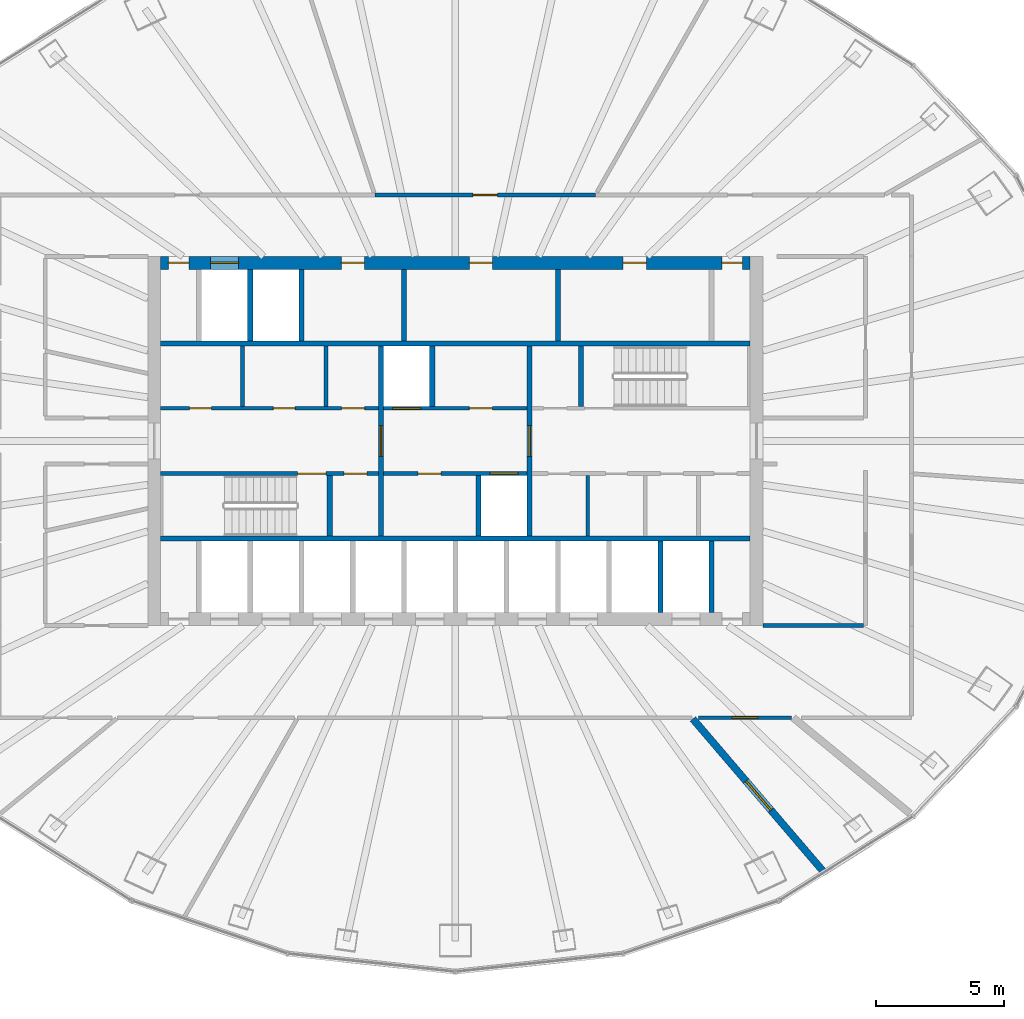
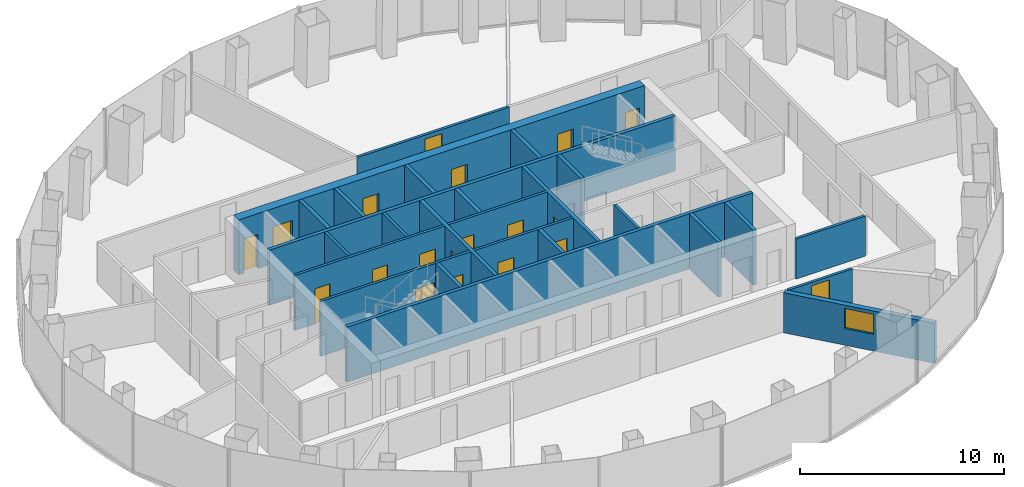
# One storey, part 9 of 11: 26 walls, 19 doors, 1 window, 20 openings.
"""IFC4 building model written with IfcOpenShell, lengths in metres."""

from ifc_helpers import new_model, si_unit, direction, frame, frame_2d, origin, place, context, subcontext, project, spatial, rectangle, extrude, material, layer, layer_set, type_object, element, fill, save


model = new_model("IFC4")

# Units and contexts
model_context = context("Model", 3, precision=1e-05, world=origin(), true_north=direction((0.0, 1.0)))
body_context = subcontext(model_context, "Body", "Model", "MODEL_VIEW")
ifc_project = project(units=[si_unit("LENGTHUNIT", "METRE"), si_unit("AREAUNIT", "SQUARE_METRE"), si_unit("VOLUMEUNIT", "CUBIC_METRE"), si_unit("PLANEANGLEUNIT", "RADIAN"), si_unit("MASSUNIT", "GRAM", prefix="KILO")], contexts=[model_context])

# Site, building, storey
site_placement = place(None, origin())
site = spatial("IfcSite", under=ifc_project, at=site_placement, CompositionType="ELEMENT")
building_placement = place(site_placement, origin())
building = spatial("IfcBuilding", under=site, at=building_placement, Name="Siaravel Broadcast Tower", CompositionType="ELEMENT")
storey_placement = place(building_placement, frame((0.0, 0.0, 126.699951171875)))
storey = spatial("IfcBuildingStorey", under=building, at=storey_placement, Name="L30", CompositionType="ELEMENT", Elevation=126.699951171875)

# Wall, opening, window
ifc_material_1 = material(Name="Double-leaf acoustic partition", Category="gypsum")
ifc_layer_1 = layer(ifc_material_1, 0.280029296875)
ifc_layer_set_1 = layer_set([ifc_layer_1], Name="Double-leaf acoustic partition")
wall_type_1 = type_object("IfcWallType", Name="Acoustic double-leaf wall 280", PredefinedType="PARTITIONING", material=ifc_layer_set_1)
wall_1_placement = place(storey_placement, frame((14.38623046875, -16.829345703125, 0.0), z_axis=(0.0, 0.0, 1.0), x_axis=(-0.649784617, 0.76011838, 0.0)))
wall_1 = element("IfcWall", 1, at=wall_1_placement, inside=storey, type_object=wall_type_1, Name="L30 partition 9", PredefinedType="PARTITIONING", context=body_context, shape_type="SweptSolid", body=[
    extrude(rectangle(XDim=7.873046875, YDim=0.280029296875, at=frame_2d((3.9365234375, 0.0))), origin(), (0.0, 0.0, 1.0), 2.400146484375),
])
opening_1_placement = place(wall_1_placement, frame((3.1865234375, 0.0, 1.0)))
opening_1 = element("IfcOpeningElement", 2, at=opening_1_placement, cuts=wall_1, Name="Opening L30-W01", PredefinedType="OPENING", context=body_context, shape_type="SweptSolid", body=[
    extrude(rectangle(XDim=1.5, YDim=1.199951171875, at=frame_2d((0.75, 0.60009765625))), frame((0.0, 0.14990234375, 0.0), z_axis=(0.0, -1.0, 0.0), x_axis=(1.0, 0.0, 0.0)), (0.0, 0.0, 1.0), 0.300048828125),
])
ifc_material_2 = material(Name="Laminated acoustic glass", Category="glass")
window_type = type_object("IfcWindowType", Name="Studio viewing window 1500", PartitioningType="SINGLE_PANEL", PredefinedType="WINDOW", material=ifc_material_2)
window_placement = place(opening_1_placement, origin())
window = element("IfcWindow", 3, at=window_placement, inside=storey, type_object=window_type, Name="L30 viewing window to Post-production room", OverallHeight=1.199951171875, OverallWidth=1.5, PartitioningType="SINGLE_PANEL", PredefinedType="WINDOW", context=body_context, shape_type="SweptSolid", body=[
    extrude(rectangle(XDim=1.5, YDim=1.199951171875, at=frame_2d((0.75, 0.60009765625))), frame((0.0, 0.030029296875, 0.0), z_axis=(0.0, -1.0, 0.0), x_axis=(1.0, 0.0, 0.0)), (0.0, 0.0, 1.0), 0.06005859375),
])
fill(opening_1, window)

# Walls
ifc_material_3 = material(Name="Concrete blockwork", Category="masonry")
ifc_layer_2 = layer(ifc_material_3, 0.14990234375)
ifc_layer_set_2 = layer_set([ifc_layer_2], Name="Concrete blockwork")
wall_type_2 = type_object("IfcWallType", Name="Core partition 150", PredefinedType="PARTITIONING", material=ifc_layer_set_2)
for number, where, z_axis, x_axis, name in (
    (4, (-8.30908203125, 1.35009765625, 0.0), (0.0, 0.0, 1.0), (0.0, 1.0, 0.0), "L30 core partition PNW0"),
    (5, (-5.04296875, 1.35009765625, 0.0), (0.0, 0.0, 1.0), (0.0, 1.0, 0.0), "L30 core partition PNW1"),
    (6, (5.16796875, -3.699951171875, 0.0), (0.0, 0.0, 1.0), (0.0, 1.0, 0.0), "L30 core partition PSE0"),
):
    element("IfcWall", number, at=place(storey_placement, frame(where, z_axis=z_axis, x_axis=x_axis)), inside=storey, type_object=wall_type_2, Name=name, PredefinedType="PARTITIONING", context=body_context, shape_type="SweptSolid", body=[
        extrude(rectangle(XDim=2.349853515625, YDim=0.14990234375, at=frame_2d((1.1748046875, 0.0))), origin(), (0.0, 0.0, 1.0), 3.300048828125),
    ])
ifc_layer_3 = layer(ifc_material_3, 0.199951171875)
ifc_layer_set_3 = layer_set([ifc_layer_3], Name="Concrete blockwork")
wall_type_3 = type_object("IfcWallType", Name="Core partition 200", PredefinedType="PARTITIONING", material=ifc_layer_set_3)
for number, where, z_axis, x_axis, name in (
    (7, (-2.0, 3.89990234375, 0.0), (0.0, 0.0, 1.0), (0.0, 1.0, 0.0), "L30 core partition PFN2"),
    (8, (4.0, 3.89990234375, 0.0), (0.0, 0.0, 1.0), (0.0, 1.0, 0.0), "L30 core partition PFN4"),
):
    element("IfcWall", number, at=place(storey_placement, frame(where, z_axis=z_axis, x_axis=x_axis)), inside=storey, type_object=wall_type_3, Name=name, PredefinedType="PARTITIONING", context=body_context, shape_type="SweptSolid", body=[
        extrude(rectangle(XDim=2.800048828125, YDim=0.199951171875, at=frame_2d((1.39990234375, 0.0))), origin(), (0.0, 0.0, 1.0), 3.300048828125),
    ])

# Wall, openings, doors
ifc_material_4 = material(Name="Concrete C60/75", Category="concrete")
ifc_layer_4 = layer(ifc_material_4, 0.5)
ifc_layer_set_4 = layer_set([ifc_layer_4], Name="Concrete C60/75")
wall_type_4 = type_object("IfcWallType", Name="Core wall 500", PredefinedType="SHEAR", material=ifc_layer_set_4)
wall_2_placement = place(storey_placement, frame((-11.5, 6.949951171875, 0.0), z_axis=(0.0, 0.0, 1.0), x_axis=(1.0, 0.0, 0.0)))
wall_2 = element("IfcWall", 9, at=wall_2_placement, inside=storey, type_object=wall_type_4, Name="L30 core wall ON", PredefinedType="SHEAR", context=body_context, shape_type="SweptSolid", body=[
    extrude(rectangle(XDim=23.0, YDim=0.5, at=frame_2d((11.5, 0.0))), origin(), (0.0, 0.0, 1.0), 3.300048828125),
])
opening_2_placement = place(wall_2_placement, frame((1.949951171875, 0.0, 0.0)))
opening_2 = element("IfcOpeningElement", 10, at=opening_2_placement, cuts=wall_2, Name="Opening LD-SV2-L30", PredefinedType="OPENING", context=body_context, shape_type="SweptSolid", body=[
    extrude(rectangle(XDim=1.10009765625, YDim=2.199951171875, at=frame_2d((0.550048828125, 1.10009765625))), frame((0.0, 0.260009765625, 0.0), z_axis=(0.0, -1.0, 0.0), x_axis=(1.0, 0.0, 0.0)), (0.0, 0.0, 1.0), 0.52001953125),
])
opening_3_placement = place(wall_2_placement, frame((7.050048828125, 0.0, 0.0)))
opening_3 = element("IfcOpeningElement", 11, at=opening_3_placement, cuts=wall_2, Name="Opening L30-DFN2", PredefinedType="OPENING", context=body_context, shape_type="SweptSolid", body=[
    extrude(rectangle(XDim=0.89990234375, YDim=2.10009765625, at=frame_2d((0.449951171875, 1.050048828125))), frame((0.0, 0.260009765625, 0.0), z_axis=(0.0, -1.0, 0.0), x_axis=(1.0, 0.0, 0.0)), (0.0, 0.0, 1.0), 0.52001953125),
])
opening_4_placement = place(wall_2_placement, frame((12.050048828125, 0.0, 0.0)))
opening_4 = element("IfcOpeningElement", 12, at=opening_4_placement, cuts=wall_2, Name="Opening L30-DFN4", PredefinedType="OPENING", context=body_context, shape_type="SweptSolid", body=[
    extrude(rectangle(XDim=0.89990234375, YDim=2.10009765625, at=frame_2d((0.449951171875, 1.050048828125))), frame((0.0, 0.260009765625, 0.0), z_axis=(0.0, -1.0, 0.0), x_axis=(1.0, 0.0, 0.0)), (0.0, 0.0, 1.0), 0.52001953125),
])
opening_5_placement = place(wall_2_placement, frame((18.050048828125, 0.0, 0.0)))
opening_5 = element("IfcOpeningElement", 13, at=opening_5_placement, cuts=wall_2, Name="Opening L30-DFN7", PredefinedType="OPENING", context=body_context, shape_type="SweptSolid", body=[
    extrude(rectangle(XDim=0.89990234375, YDim=2.10009765625, at=frame_2d((0.449951171875, 1.050048828125))), frame((0.0, 0.260009765625, 0.0), z_axis=(0.0, -1.0, 0.0), x_axis=(1.0, 0.0, 0.0)), (0.0, 0.0, 1.0), 0.52001953125),
])
opening_6_placement = place(wall_2_placement, frame((0.300048828125, 0.0, 0.0)))
opening_6 = element("IfcOpeningElement", 14, at=opening_6_placement, cuts=wall_2, Name="Opening L30-DRNW", PredefinedType="OPENING", context=body_context, shape_type="SweptSolid", body=[
    extrude(rectangle(XDim=0.800048828125, YDim=2.050048828125, at=frame_2d((0.39990234375, 1.02490234375))), frame((0.0, 0.260009765625, 0.0), z_axis=(0.0, -1.0, 0.0), x_axis=(1.0, 0.0, 0.0)), (0.0, 0.0, 1.0), 0.52001953125),
])
opening_7_placement = place(wall_2_placement, frame((21.89990234375, 0.0, 0.0)))
opening_7 = element("IfcOpeningElement", 15, at=opening_7_placement, cuts=wall_2, Name="Opening L30-DRNE", PredefinedType="OPENING", context=body_context, shape_type="SweptSolid", body=[
    extrude(rectangle(XDim=0.800048828125, YDim=2.050048828125, at=frame_2d((0.39990234375, 1.02490234375))), frame((0.0, 0.260009765625, 0.0), z_axis=(0.0, -1.0, 0.0), x_axis=(1.0, 0.0, 0.0)), (0.0, 0.0, 1.0), 0.52001953125),
])
ifc_material_5 = material(Name="Timber veneer", Category="wood")
door_type_1 = type_object("IfcDoorType", Name="Core room door 900", OperationType="SINGLE_SWING_LEFT", PredefinedType="DOOR", material=ifc_material_5)
door_1_placement = place(opening_3_placement, origin())
door_1 = element("IfcDoor", 16, at=door_1_placement, inside=storey, type_object=door_type_1, Name="L30 door DFN2", OperationType="SINGLE_SWING_LEFT", OverallHeight=2.10009765625, OverallWidth=0.89990234375, PredefinedType="DOOR", context=body_context, shape_type="SweptSolid", body=[
    extrude(rectangle(XDim=0.89990234375, YDim=2.10009765625, at=frame_2d((0.449951171875, 1.050048828125))), frame((0.0, 0.02490234375, 0.0), z_axis=(0.0, -1.0, 0.0), x_axis=(1.0, 0.0, 0.0)), (0.0, 0.0, 1.0), 0.050048828125),
])
fill(opening_3, door_1)
door_2_placement = place(opening_4_placement, origin())
door_2 = element("IfcDoor", 17, at=door_2_placement, inside=storey, type_object=door_type_1, Name="L30 door DFN4", OperationType="SINGLE_SWING_LEFT", OverallHeight=2.10009765625, OverallWidth=0.89990234375, PredefinedType="DOOR", context=body_context, shape_type="SweptSolid", body=[
    extrude(rectangle(XDim=0.89990234375, YDim=2.10009765625, at=frame_2d((0.449951171875, 1.050048828125))), frame((0.0, 0.02490234375, 0.0), z_axis=(0.0, -1.0, 0.0), x_axis=(1.0, 0.0, 0.0)), (0.0, 0.0, 1.0), 0.050048828125),
])
fill(opening_4, door_2)
door_3_placement = place(opening_5_placement, origin())
door_3 = element("IfcDoor", 18, at=door_3_placement, inside=storey, type_object=door_type_1, Name="L30 door DFN7", OperationType="SINGLE_SWING_LEFT", OverallHeight=2.10009765625, OverallWidth=0.89990234375, PredefinedType="DOOR", context=body_context, shape_type="SweptSolid", body=[
    extrude(rectangle(XDim=0.89990234375, YDim=2.10009765625, at=frame_2d((0.449951171875, 1.050048828125))), frame((0.0, 0.02490234375, 0.0), z_axis=(0.0, -1.0, 0.0), x_axis=(1.0, 0.0, 0.0)), (0.0, 0.0, 1.0), 0.050048828125),
])
fill(opening_5, door_3)
ifc_material_6 = material(Name="Steel", Category="steel")
door_type_2 = type_object("IfcDoorType", Name="Riser door 800", OperationType="SINGLE_SWING_LEFT", PredefinedType="DOOR", material=ifc_material_6)
door_4_placement = place(opening_6_placement, origin())
door_4 = element("IfcDoor", 19, at=door_4_placement, inside=storey, type_object=door_type_2, Name="L30 door DRNW", OperationType="SINGLE_SWING_LEFT", OverallHeight=2.050048828125, OverallWidth=0.800048828125, PredefinedType="DOOR", context=body_context, shape_type="SweptSolid", body=[
    extrude(rectangle(XDim=0.800048828125, YDim=2.050048828125, at=frame_2d((0.39990234375, 1.02490234375))), frame((0.0, 0.02490234375, 0.0), z_axis=(0.0, -1.0, 0.0), x_axis=(1.0, 0.0, 0.0)), (0.0, 0.0, 1.0), 0.050048828125),
])
fill(opening_6, door_4)
door_5_placement = place(opening_7_placement, origin())
door_5 = element("IfcDoor", 20, at=door_5_placement, inside=storey, type_object=door_type_2, Name="L30 door DRNE", OperationType="SINGLE_SWING_LEFT", OverallHeight=2.050048828125, OverallWidth=0.800048828125, PredefinedType="DOOR", context=body_context, shape_type="SweptSolid", body=[
    extrude(rectangle(XDim=0.800048828125, YDim=2.050048828125, at=frame_2d((0.39990234375, 1.02490234375))), frame((0.0, 0.02490234375, 0.0), z_axis=(0.0, -1.0, 0.0), x_axis=(1.0, 0.0, 0.0)), (0.0, 0.0, 1.0), 0.050048828125),
])
fill(opening_7, door_5)
ifc_material_7 = material(Name="Stainless steel 316L", Category="steel")
door_type_3 = type_object("IfcDoorType", Name="Service lift landing door 1100", OperationType="DOUBLE_DOOR_SLIDING", PredefinedType="DOOR", material=ifc_material_7)
door_6_placement = place(opening_2_placement, origin())
door_6 = element("IfcDoor", 21, at=door_6_placement, inside=storey, type_object=door_type_3, Name="Landing door SV2 L30", OperationType="DOUBLE_DOOR_SLIDING", OverallHeight=2.199951171875, OverallWidth=1.10009765625, PredefinedType="DOOR", context=body_context, shape_type="SweptSolid", body=[
    extrude(rectangle(XDim=1.10009765625, YDim=2.199951171875, at=frame_2d((0.550048828125, 1.10009765625))), frame((0.0, 0.02490234375, 0.0), z_axis=(0.0, -1.0, 0.0), x_axis=(1.0, 0.0, 0.0)), (0.0, 0.0, 1.0), 0.050048828125),
])
fill(opening_2, door_6)

ifc_material_8 = material(Name="Gypsum board partition", Category="gypsum")
ifc_layer_5 = layer(ifc_material_8, 0.14990234375)
ifc_layer_set_5 = layer_set([ifc_layer_5], Name="Gypsum board partition")
wall_type_5 = type_object("IfcWallType", Name="Corridor wall 150", PredefinedType="PARTITIONING", material=ifc_layer_set_5)
wall_3_placement = place(storey_placement, frame((-11.5, 1.27490234375, 0.0), z_axis=(0.0, 0.0, 1.0), x_axis=(1.0, 0.0, 0.0)))
wall_3 = element("IfcWall", 22, at=wall_3_placement, inside=storey, type_object=wall_type_5, Name="L30 core partition CNW", PredefinedType="PARTITIONING", context=body_context, shape_type="SweptSolid", body=[
    extrude(rectangle(XDim=8.5, YDim=0.14990234375, at=frame_2d((4.25, 0.0))), origin(), (0.0, 0.0, 1.0), 3.300048828125),
])
opening_8_placement = place(wall_3_placement, frame((1.133056640625, 0.0, 0.0)))
opening_8 = element("IfcOpeningElement", 23, at=opening_8_placement, cuts=wall_3, Name="Opening L30-DNW0", PredefinedType="OPENING", context=body_context, shape_type="SweptSolid", body=[
    extrude(rectangle(XDim=0.85009765625, YDim=2.10009765625, at=frame_2d((0.425048828125, 1.050048828125))), frame((0.0, 0.0849609375, 0.0), z_axis=(0.0, -1.0, 0.0), x_axis=(1.0, 0.0, 0.0)), (0.0, 0.0, 1.0), 0.169921875),
])
opening_9_placement = place(wall_3_placement, frame((4.39892578125, 0.0, 0.0)))
opening_9 = element("IfcOpeningElement", 24, at=opening_9_placement, cuts=wall_3, Name="Opening L30-DNW1", PredefinedType="OPENING", context=body_context, shape_type="SweptSolid", body=[
    extrude(rectangle(XDim=0.85009765625, YDim=2.10009765625, at=frame_2d((0.425048828125, 1.050048828125))), frame((0.0, 0.0849609375, 0.0), z_axis=(0.0, -1.0, 0.0), x_axis=(1.0, 0.0, 0.0)), (0.0, 0.0, 1.0), 0.169921875),
])
opening_10_placement = place(wall_3_placement, frame((7.06591796875, 0.0, 0.0)))
opening_10 = element("IfcOpeningElement", 25, at=opening_10_placement, cuts=wall_3, Name="Opening L30-DNW2", PredefinedType="OPENING", context=body_context, shape_type="SweptSolid", body=[
    extrude(rectangle(XDim=0.89990234375, YDim=2.10009765625, at=frame_2d((0.449951171875, 1.050048828125))), frame((0.0, 0.0849609375, 0.0), z_axis=(0.0, -1.0, 0.0), x_axis=(1.0, 0.0, 0.0)), (0.0, 0.0, 1.0), 0.169921875),
])
door_7_placement = place(opening_10_placement, origin())
door_7 = element("IfcDoor", 26, at=door_7_placement, inside=storey, type_object=door_type_1, Name="L30 door DNW2", OperationType="SINGLE_SWING_LEFT", OverallHeight=2.10009765625, OverallWidth=0.89990234375, PredefinedType="DOOR", context=body_context, shape_type="SweptSolid", body=[
    extrude(rectangle(XDim=0.89990234375, YDim=2.10009765625, at=frame_2d((0.449951171875, 1.050048828125))), frame((0.0, 0.02490234375, 0.0), z_axis=(0.0, -1.0, 0.0), x_axis=(1.0, 0.0, 0.0)), (0.0, 0.0, 1.0), 0.050048828125),
])
fill(opening_10, door_7)
door_type_4 = type_object("IfcDoorType", Name="Core toilet door 850", OperationType="SINGLE_SWING_LEFT", PredefinedType="DOOR", material=ifc_material_5)
door_8_placement = place(opening_8_placement, origin())
door_8 = element("IfcDoor", 27, at=door_8_placement, inside=storey, type_object=door_type_4, Name="L30 door DNW0", OperationType="SINGLE_SWING_LEFT", OverallHeight=2.10009765625, OverallWidth=0.85009765625, PredefinedType="DOOR", context=body_context, shape_type="SweptSolid", body=[
    extrude(rectangle(XDim=0.85009765625, YDim=2.10009765625, at=frame_2d((0.425048828125, 1.050048828125))), frame((0.0, 0.02490234375, 0.0), z_axis=(0.0, -1.0, 0.0), x_axis=(1.0, 0.0, 0.0)), (0.0, 0.0, 1.0), 0.050048828125),
])
fill(opening_8, door_8)
door_9_placement = place(opening_9_placement, origin())
door_9 = element("IfcDoor", 28, at=door_9_placement, inside=storey, type_object=door_type_4, Name="L30 door DNW1", OperationType="SINGLE_SWING_LEFT", OverallHeight=2.10009765625, OverallWidth=0.85009765625, PredefinedType="DOOR", context=body_context, shape_type="SweptSolid", body=[
    extrude(rectangle(XDim=0.85009765625, YDim=2.10009765625, at=frame_2d((0.425048828125, 1.050048828125))), frame((0.0, 0.02490234375, 0.0), z_axis=(0.0, -1.0, 0.0), x_axis=(1.0, 0.0, 0.0)), (0.0, 0.0, 1.0), 0.050048828125),
])
fill(opening_9, door_9)

# Wall, opening, door
wall_4_placement = place(storey_placement, frame((5.464111328125, 9.60009765625, 0.0), z_axis=(0.0, 0.0, 1.0), x_axis=(-1.0, 0.0, 0.0)))
wall_4 = element("IfcWall", 29, at=wall_4_placement, inside=storey, type_object=wall_type_5, Name="L30 partition 7", PredefinedType="PARTITIONING", context=body_context, shape_type="SweptSolid", body=[
    extrude(rectangle(XDim=8.603515625, YDim=0.14990234375, at=frame_2d((4.3017578125, 0.0))), origin(), (0.0, 0.0, 1.0), 2.400146484375),
])
opening_11_placement = place(wall_4_placement, frame((3.826904296875, 0.0, 0.0)))
opening_11 = element("IfcOpeningElement", 30, at=opening_11_placement, cuts=wall_4, Name="Opening L30-006", PredefinedType="OPENING", context=body_context, shape_type="SweptSolid", body=[
    extrude(rectangle(XDim=0.949951171875, YDim=2.14990234375, at=frame_2d((0.47509765625, 1.074951171875))), frame((0.0, 0.0849609375, 0.0), z_axis=(0.0, -1.0, 0.0), x_axis=(1.0, 0.0, 0.0)), (0.0, 0.0, 1.0), 0.169921875),
])
door_type_5 = type_object("IfcDoorType", Name="Office door 950", OperationType="SINGLE_SWING_LEFT", PredefinedType="DOOR", material=ifc_material_5)
door_10_placement = place(opening_11_placement, origin())
door_10 = element("IfcDoor", 31, at=door_10_placement, inside=storey, type_object=door_type_5, Name="L30 door to Design studio", OperationType="SINGLE_SWING_RIGHT", OverallHeight=2.14990234375, OverallWidth=0.949951171875, PredefinedType="DOOR", context=body_context, shape_type="SweptSolid", body=[
    extrude(rectangle(XDim=0.949951171875, YDim=2.14990234375, at=frame_2d((0.47509765625, 1.074951171875))), frame((0.0, 0.02490234375, 0.0), z_axis=(0.0, -1.0, 0.0), x_axis=(1.0, 0.0, 0.0)), (0.0, 0.0, 1.0), 0.050048828125),
])
fill(opening_11, door_10)

# Wall
wall_5_placement = place(storey_placement, frame((15.923095703125, -7.199951171875, 0.0), z_axis=(0.0, 0.0, 1.0), x_axis=(-1.0, 0.0, 0.0)))
element("IfcWall", 32, at=wall_5_placement, inside=storey, type_object=wall_type_5, Name="L30 partition 29", PredefinedType="PARTITIONING", context=body_context, shape_type="SweptSolid", body=[
    extrude(rectangle(XDim=3.923095703125, YDim=0.14990234375, at=frame_2d((1.96142578125, 0.0))), origin(), (0.0, 0.0, 1.0), 2.400146484375),
])

# Wall, opening, door
wall_6_placement = place(storey_placement, frame((9.482421875, -10.800048828125, 0.0), z_axis=(0.0, 0.0, 1.0), x_axis=(1.0, 0.0, 0.0)))
wall_6 = element("IfcWall", 33, at=wall_6_placement, inside=storey, type_object=wall_type_5, Name="L30 partition 31", PredefinedType="PARTITIONING", context=body_context, shape_type="SweptSolid", body=[
    extrude(rectangle(XDim=3.63916015625, YDim=0.14990234375, at=frame_2d((1.819580078125, 0.0))), origin(), (0.0, 0.0, 1.0), 2.400146484375),
])
opening_12_placement = place(wall_6_placement, frame((1.319580078125, 0.0, 0.0)))
opening_12 = element("IfcOpeningElement", 34, at=opening_12_placement, cuts=wall_6, Name="Opening L30-017", PredefinedType="OPENING", context=body_context, shape_type="SweptSolid", body=[
    extrude(rectangle(XDim=1.0, YDim=2.199951171875, at=frame_2d((0.5, 1.10009765625))), frame((0.0, 0.0849609375, 0.0), z_axis=(0.0, -1.0, 0.0), x_axis=(1.0, 0.0, 0.0)), (0.0, 0.0, 1.0), 0.169921875),
])
ifc_material_9 = material(Name="Acoustic timber and steel", Category="steel")
door_type_6 = type_object("IfcDoorType", Name="Acoustic door 1000", OperationType="SINGLE_SWING_LEFT", PredefinedType="DOOR", material=ifc_material_9)
door_11_placement = place(opening_12_placement, origin())
door_11 = element("IfcDoor", 35, at=door_11_placement, inside=storey, type_object=door_type_6, Name="L30 door to Post-production room", OperationType="SINGLE_SWING_LEFT", OverallHeight=2.199951171875, OverallWidth=1.0, PredefinedType="DOOR", context=body_context, shape_type="SweptSolid", body=[
    extrude(rectangle(XDim=1.0, YDim=2.199951171875, at=frame_2d((0.5, 1.10009765625))), frame((0.0, 0.02490234375, 0.0), z_axis=(0.0, -1.0, 0.0), x_axis=(1.0, 0.0, 0.0)), (0.0, 0.0, 1.0), 0.050048828125),
])
fill(opening_12, door_11)

# Wall, openings, doors
ifc_layer_6 = layer(ifc_material_4, 0.14990234375)
ifc_layer_set_6 = layer_set([ifc_layer_6], Name="Concrete C60/75")
wall_type_6 = type_object("IfcWallType", Name="Shaft wall 150", PredefinedType="SHEAR", material=ifc_layer_set_6)
wall_7_placement = place(storey_placement, frame((-11.5, -1.27490234375, 0.0), z_axis=(0.0, 0.0, 1.0), x_axis=(1.0, 0.0, 0.0)))
wall_7 = element("IfcWall", 36, at=wall_7_placement, inside=storey, type_object=wall_type_6, Name="L30 core wall CSW", PredefinedType="SHEAR", context=body_context, shape_type="SweptSolid", body=[
    extrude(rectangle(XDim=8.5, YDim=0.14990234375, at=frame_2d((4.25, 0.0))), origin(), (0.0, 0.0, 1.0), 3.300048828125),
])
opening_13_placement = place(wall_7_placement, frame((5.35009765625, 0.0, 0.0)))
opening_13 = element("IfcOpeningElement", 37, at=opening_13_placement, cuts=wall_7, Name="Opening L30-DS-1", PredefinedType="OPENING", context=body_context, shape_type="SweptSolid", body=[
    extrude(rectangle(XDim=1.10009765625, YDim=2.14990234375, at=frame_2d((0.550048828125, 1.074951171875))), frame((0.0, 0.0849609375, 0.0), z_axis=(0.0, -1.0, 0.0), x_axis=(1.0, 0.0, 0.0)), (0.0, 0.0, 1.0), 0.169921875),
])
opening_14_placement = place(wall_7_placement, frame((7.14990234375, 0.0, 0.0)))
opening_14 = element("IfcOpeningElement", 38, at=opening_14_placement, cuts=wall_7, Name="Opening L30-DSW0", PredefinedType="OPENING", context=body_context, shape_type="SweptSolid", body=[
    extrude(rectangle(XDim=0.89990234375, YDim=2.10009765625, at=frame_2d((0.449951171875, 1.050048828125))), frame((0.0, 0.0849609375, 0.0), z_axis=(0.0, -1.0, 0.0), x_axis=(1.0, 0.0, 0.0)), (0.0, 0.0, 1.0), 0.169921875),
])
door_12_placement = place(opening_14_placement, origin())
door_12 = element("IfcDoor", 39, at=door_12_placement, inside=storey, type_object=door_type_1, Name="L30 door DSW0", OperationType="SINGLE_SWING_LEFT", OverallHeight=2.10009765625, OverallWidth=0.89990234375, PredefinedType="DOOR", context=body_context, shape_type="SweptSolid", body=[
    extrude(rectangle(XDim=0.89990234375, YDim=2.10009765625, at=frame_2d((0.449951171875, 1.050048828125))), frame((0.0, 0.02490234375, 0.0), z_axis=(0.0, -1.0, 0.0), x_axis=(1.0, 0.0, 0.0)), (0.0, 0.0, 1.0), 0.050048828125),
])
fill(opening_14, door_12)
door_type_7 = type_object("IfcDoorType", Name="Stair door 1100", OperationType="SINGLE_SWING_LEFT", PredefinedType="DOOR", material=ifc_material_6)
door_13_placement = place(opening_13_placement, origin())
door_13 = element("IfcDoor", 40, at=door_13_placement, inside=storey, type_object=door_type_7, Name="L30 door DS-1", OperationType="SINGLE_SWING_LEFT", OverallHeight=2.14990234375, OverallWidth=1.10009765625, PredefinedType="DOOR", context=body_context, shape_type="SweptSolid", body=[
    extrude(rectangle(XDim=1.10009765625, YDim=2.14990234375, at=frame_2d((0.550048828125, 1.074951171875))), frame((0.0, 0.02490234375, 0.0), z_axis=(0.0, -1.0, 0.0), x_axis=(1.0, 0.0, 0.0)), (0.0, 0.0, 1.0), 0.050048828125),
])
fill(opening_13, door_13)

wall_8_placement = place(storey_placement, frame((-2.800048828125, -1.27490234375, 0.0), z_axis=(0.0, 0.0, 1.0), x_axis=(1.0, 0.0, 0.0)))
wall_8 = element("IfcWall", 41, at=wall_8_placement, inside=storey, type_object=wall_type_6, Name="L30 core wall CSM", PredefinedType="SHEAR", context=body_context, shape_type="SweptSolid", body=[
    extrude(rectangle(XDim=5.60009765625, YDim=0.14990234375, at=frame_2d((2.800048828125, 0.0))), origin(), (0.0, 0.0, 1.0), 3.300048828125),
])
opening_15_placement = place(wall_8_placement, frame((4.14990234375, 0.0, 0.0)))
opening_15 = element("IfcOpeningElement", 42, at=opening_15_placement, cuts=wall_8, Name="Opening LD-FL2-L30", PredefinedType="OPENING", context=body_context, shape_type="SweptSolid", body=[
    extrude(rectangle(XDim=1.10009765625, YDim=2.199951171875, at=frame_2d((0.550048828125, 1.10009765625))), frame((0.0, 0.0849609375, 0.0), z_axis=(0.0, -1.0, 0.0), x_axis=(1.0, 0.0, 0.0)), (0.0, 0.0, 1.0), 0.169921875),
])
opening_16_placement = place(wall_8_placement, frame((1.35009765625, 0.0, 0.0)))
opening_16 = element("IfcOpeningElement", 43, at=opening_16_placement, cuts=wall_8, Name="Opening L30-DSM0", PredefinedType="OPENING", context=body_context, shape_type="SweptSolid", body=[
    extrude(rectangle(XDim=0.89990234375, YDim=2.10009765625, at=frame_2d((0.449951171875, 1.050048828125))), frame((0.0, 0.0849609375, 0.0), z_axis=(0.0, -1.0, 0.0), x_axis=(1.0, 0.0, 0.0)), (0.0, 0.0, 1.0), 0.169921875),
])
door_14_placement = place(opening_16_placement, origin())
door_14 = element("IfcDoor", 44, at=door_14_placement, inside=storey, type_object=door_type_1, Name="L30 door DSM0", OperationType="SINGLE_SWING_LEFT", OverallHeight=2.10009765625, OverallWidth=0.89990234375, PredefinedType="DOOR", context=body_context, shape_type="SweptSolid", body=[
    extrude(rectangle(XDim=0.89990234375, YDim=2.10009765625, at=frame_2d((0.449951171875, 1.050048828125))), frame((0.0, 0.02490234375, 0.0), z_axis=(0.0, -1.0, 0.0), x_axis=(1.0, 0.0, 0.0)), (0.0, 0.0, 1.0), 0.050048828125),
])
fill(opening_16, door_14)
door_type_8 = type_object("IfcDoorType", Name="Firefighting lift landing door 1100", OperationType="DOUBLE_DOOR_SLIDING", PredefinedType="DOOR", material=ifc_material_7)
door_15_placement = place(opening_15_placement, origin())
door_15 = element("IfcDoor", 45, at=door_15_placement, inside=storey, type_object=door_type_8, Name="Landing door FL2 L30", OperationType="DOUBLE_DOOR_SLIDING", OverallHeight=2.199951171875, OverallWidth=1.10009765625, PredefinedType="DOOR", context=body_context, shape_type="SweptSolid", body=[
    extrude(rectangle(XDim=1.10009765625, YDim=2.199951171875, at=frame_2d((0.550048828125, 1.10009765625))), frame((0.0, 0.02490234375, 0.0), z_axis=(0.0, -1.0, 0.0), x_axis=(1.0, 0.0, 0.0)), (0.0, 0.0, 1.0), 0.050048828125),
])
fill(opening_15, door_15)

wall_9_placement = place(storey_placement, frame((-2.800048828125, 1.27490234375, 0.0), z_axis=(0.0, 0.0, 1.0), x_axis=(1.0, 0.0, 0.0)))
wall_9 = element("IfcWall", 46, at=wall_9_placement, inside=storey, type_object=wall_type_6, Name="L30 core wall CNM", PredefinedType="SHEAR", context=body_context, shape_type="SweptSolid", body=[
    extrude(rectangle(XDim=5.60009765625, YDim=0.14990234375, at=frame_2d((2.800048828125, 0.0))), origin(), (0.0, 0.0, 1.0), 3.300048828125),
])
opening_17_placement = place(wall_9_placement, frame((0.35009765625, 0.0, 0.0)))
opening_17 = element("IfcOpeningElement", 47, at=opening_17_placement, cuts=wall_9, Name="Opening LD-FL1-L30", PredefinedType="OPENING", context=body_context, shape_type="SweptSolid", body=[
    extrude(rectangle(XDim=1.10009765625, YDim=2.199951171875, at=frame_2d((0.550048828125, 1.10009765625))), frame((0.0, 0.0849609375, 0.0), z_axis=(0.0, -1.0, 0.0), x_axis=(1.0, 0.0, 0.0)), (0.0, 0.0, 1.0), 0.169921875),
])
opening_18_placement = place(wall_9_placement, frame((3.35009765625, 0.0, 0.0)))
opening_18 = element("IfcOpeningElement", 48, at=opening_18_placement, cuts=wall_9, Name="Opening L30-DNM0", PredefinedType="OPENING", context=body_context, shape_type="SweptSolid", body=[
    extrude(rectangle(XDim=0.89990234375, YDim=2.10009765625, at=frame_2d((0.449951171875, 1.050048828125))), frame((0.0, 0.0849609375, 0.0), z_axis=(0.0, -1.0, 0.0), x_axis=(1.0, 0.0, 0.0)), (0.0, 0.0, 1.0), 0.169921875),
])
door_16_placement = place(opening_18_placement, origin())
door_16 = element("IfcDoor", 49, at=door_16_placement, inside=storey, type_object=door_type_1, Name="L30 door DNM0", OperationType="SINGLE_SWING_LEFT", OverallHeight=2.10009765625, OverallWidth=0.89990234375, PredefinedType="DOOR", context=body_context, shape_type="SweptSolid", body=[
    extrude(rectangle(XDim=0.89990234375, YDim=2.10009765625, at=frame_2d((0.449951171875, 1.050048828125))), frame((0.0, 0.02490234375, 0.0), z_axis=(0.0, -1.0, 0.0), x_axis=(1.0, 0.0, 0.0)), (0.0, 0.0, 1.0), 0.050048828125),
])
fill(opening_18, door_16)
door_17_placement = place(opening_17_placement, origin())
door_17 = element("IfcDoor", 50, at=door_17_placement, inside=storey, type_object=door_type_8, Name="Landing door FL1 L30", OperationType="DOUBLE_DOOR_SLIDING", OverallHeight=2.199951171875, OverallWidth=1.10009765625, PredefinedType="DOOR", context=body_context, shape_type="SweptSolid", body=[
    extrude(rectangle(XDim=1.10009765625, YDim=2.199951171875, at=frame_2d((0.550048828125, 1.10009765625))), frame((0.0, 0.02490234375, 0.0), z_axis=(0.0, -1.0, 0.0), x_axis=(1.0, 0.0, 0.0)), (0.0, 0.0, 1.0), 0.050048828125),
])
fill(opening_17, door_17)

# Walls
ifc_layer_7 = layer(ifc_material_4, 0.199951171875)
ifc_layer_set_7 = layer_set([ifc_layer_7], Name="Concrete C60/75")
wall_type_7 = type_object("IfcWallType", Name="Shaft wall 200", PredefinedType="SHEAR", material=ifc_layer_set_7)
for number, where, z_axis, x_axis, name in (
    (51, (-11.5, -3.800048828125, 0.0), (0.0, 0.0, 1.0), (1.0, 0.0, 0.0), "L30 core wall BS"),
    (52, (-11.5, 3.800048828125, 0.0), (0.0, 0.0, 1.0), (1.0, 0.0, 0.0), "L30 core wall BN"),
):
    element("IfcWall", number, at=place(storey_placement, frame(where, z_axis=z_axis, x_axis=x_axis)), inside=storey, type_object=wall_type_7, Name=name, PredefinedType="SHEAR", context=body_context, shape_type="SweptSolid", body=[
        extrude(rectangle(XDim=23.0, YDim=0.199951171875, at=frame_2d((11.5, 0.0))), origin(), (0.0, 0.0, 1.0), 3.300048828125),
    ])
for number, where, z_axis, x_axis, name in (
    (53, (8.0, -6.699951171875, 0.0), (0.0, 0.0, 1.0), (0.0, 1.0, 0.0), "L30 core wall SWS9"),
    (54, (10.0, -6.699951171875, 0.0), (0.0, 0.0, 1.0), (0.0, 1.0, 0.0), "L30 core wall SWS10"),
    (55, (-8.0, 3.89990234375, 0.0), (0.0, 0.0, 1.0), (0.0, 1.0, 0.0), "L30 core wall SWN1"),
    (56, (-6.0, 3.89990234375, 0.0), (0.0, 0.0, 1.0), (0.0, 1.0, 0.0), "L30 core wall SWN2"),
):
    element("IfcWall", number, at=place(storey_placement, frame(where, z_axis=z_axis, x_axis=x_axis)), inside=storey, type_object=wall_type_7, Name=name, PredefinedType="SHEAR", context=body_context, shape_type="SweptSolid", body=[
        extrude(rectangle(XDim=2.800048828125, YDim=0.199951171875, at=frame_2d((1.39990234375, 0.0))), origin(), (0.0, 0.0, 1.0), 3.300048828125),
    ])

# Wall, opening, door
wall_10_placement = place(storey_placement, frame((-2.89990234375, -3.699951171875, 0.0), z_axis=(0.0, 0.0, 1.0), x_axis=(0.0, 1.0, 0.0)))
wall_10 = element("IfcWall", 57, at=wall_10_placement, inside=storey, type_object=wall_type_7, Name="L30 core wall LW", PredefinedType="SHEAR", context=body_context, shape_type="SweptSolid", body=[
    extrude(rectangle(XDim=7.39990234375, YDim=0.199951171875, at=frame_2d((3.699951171875, 0.0))), origin(), (0.0, 0.0, 1.0), 3.300048828125),
])
opening_19_placement = place(wall_10_placement, frame((3.10009765625, 0.0, 0.0)))
opening_19 = element("IfcOpeningElement", 58, at=opening_19_placement, cuts=wall_10, Name="Opening L30-DL-W", PredefinedType="OPENING", context=body_context, shape_type="SweptSolid", body=[
    extrude(rectangle(XDim=1.199951171875, YDim=2.199951171875, at=frame_2d((0.60009765625, 1.10009765625))), frame((0.0, 0.10986328125, 0.0), z_axis=(0.0, -1.0, 0.0), x_axis=(1.0, 0.0, 0.0)), (0.0, 0.0, 1.0), 0.219970703125),
])
door_type_9 = type_object("IfcDoorType", Name="Firefighting lobby door 1200", OperationType="SINGLE_SWING_LEFT", PredefinedType="DOOR", material=ifc_material_6)
door_18_placement = place(opening_19_placement, origin())
door_18 = element("IfcDoor", 59, at=door_18_placement, inside=storey, type_object=door_type_9, Name="L30 door DL-W", OperationType="SINGLE_SWING_LEFT", OverallHeight=2.199951171875, OverallWidth=1.199951171875, PredefinedType="DOOR", context=body_context, shape_type="SweptSolid", body=[
    extrude(rectangle(XDim=1.199951171875, YDim=2.199951171875, at=frame_2d((0.60009765625, 1.10009765625))), frame((0.0, 0.02490234375, 0.0), z_axis=(0.0, -1.0, 0.0), x_axis=(1.0, 0.0, 0.0)), (0.0, 0.0, 1.0), 0.050048828125),
])
fill(opening_19, door_18)

wall_11_placement = place(storey_placement, frame((2.89990234375, -3.699951171875, 0.0), z_axis=(0.0, 0.0, 1.0), x_axis=(0.0, 1.0, 0.0)))
wall_11 = element("IfcWall", 60, at=wall_11_placement, inside=storey, type_object=wall_type_7, Name="L30 core wall LE", PredefinedType="SHEAR", context=body_context, shape_type="SweptSolid", body=[
    extrude(rectangle(XDim=7.39990234375, YDim=0.199951171875, at=frame_2d((3.699951171875, 0.0))), origin(), (0.0, 0.0, 1.0), 3.300048828125),
])
opening_20_placement = place(wall_11_placement, frame((3.10009765625, 0.0, 0.0)))
opening_20 = element("IfcOpeningElement", 61, at=opening_20_placement, cuts=wall_11, Name="Opening L30-DL-E", PredefinedType="OPENING", context=body_context, shape_type="SweptSolid", body=[
    extrude(rectangle(XDim=1.199951171875, YDim=2.199951171875, at=frame_2d((0.60009765625, 1.10009765625))), frame((0.0, 0.10986328125, 0.0), z_axis=(0.0, -1.0, 0.0), x_axis=(1.0, 0.0, 0.0)), (0.0, 0.0, 1.0), 0.219970703125),
])
door_19_placement = place(opening_20_placement, origin())
door_19 = element("IfcDoor", 62, at=door_19_placement, inside=storey, type_object=door_type_9, Name="L30 door DL-E", OperationType="SINGLE_SWING_LEFT", OverallHeight=2.199951171875, OverallWidth=1.199951171875, PredefinedType="DOOR", context=body_context, shape_type="SweptSolid", body=[
    extrude(rectangle(XDim=1.199951171875, YDim=2.199951171875, at=frame_2d((0.60009765625, 1.10009765625))), frame((0.0, 0.02490234375, 0.0), z_axis=(0.0, -1.0, 0.0), x_axis=(1.0, 0.0, 0.0)), (0.0, 0.0, 1.0), 0.050048828125),
])
fill(opening_20, door_19)

# Walls
for number, where, z_axis, x_axis, name in (
    (63, (-0.89990234375, 1.35009765625, 0.0), (0.0, 0.0, 1.0), (0.0, 1.0, 0.0), "L30 core wall FF1E"),
    (64, (0.89990234375, -3.699951171875, 0.0), (0.0, 0.0, 1.0), (0.0, 1.0, 0.0), "L30 core wall FF2W"),
    (65, (-4.89990234375, -3.699951171875, 0.0), (0.0, 0.0, 1.0), (0.0, 1.0, 0.0), "L30 core wall ST1E"),
    (66, (4.89990234375, 1.35009765625, 0.0), (0.0, 0.0, 1.0), (0.0, 1.0, 0.0), "L30 core wall ST2W"),
):
    element("IfcWall", number, at=place(storey_placement, frame(where, z_axis=z_axis, x_axis=x_axis)), inside=storey, type_object=wall_type_7, Name=name, PredefinedType="SHEAR", context=body_context, shape_type="SweptSolid", body=[
        extrude(rectangle(XDim=2.349853515625, YDim=0.199951171875, at=frame_2d((1.1748046875, 0.0))), origin(), (0.0, 0.0, 1.0), 3.300048828125),
    ])

save(model, "model.ifc")
